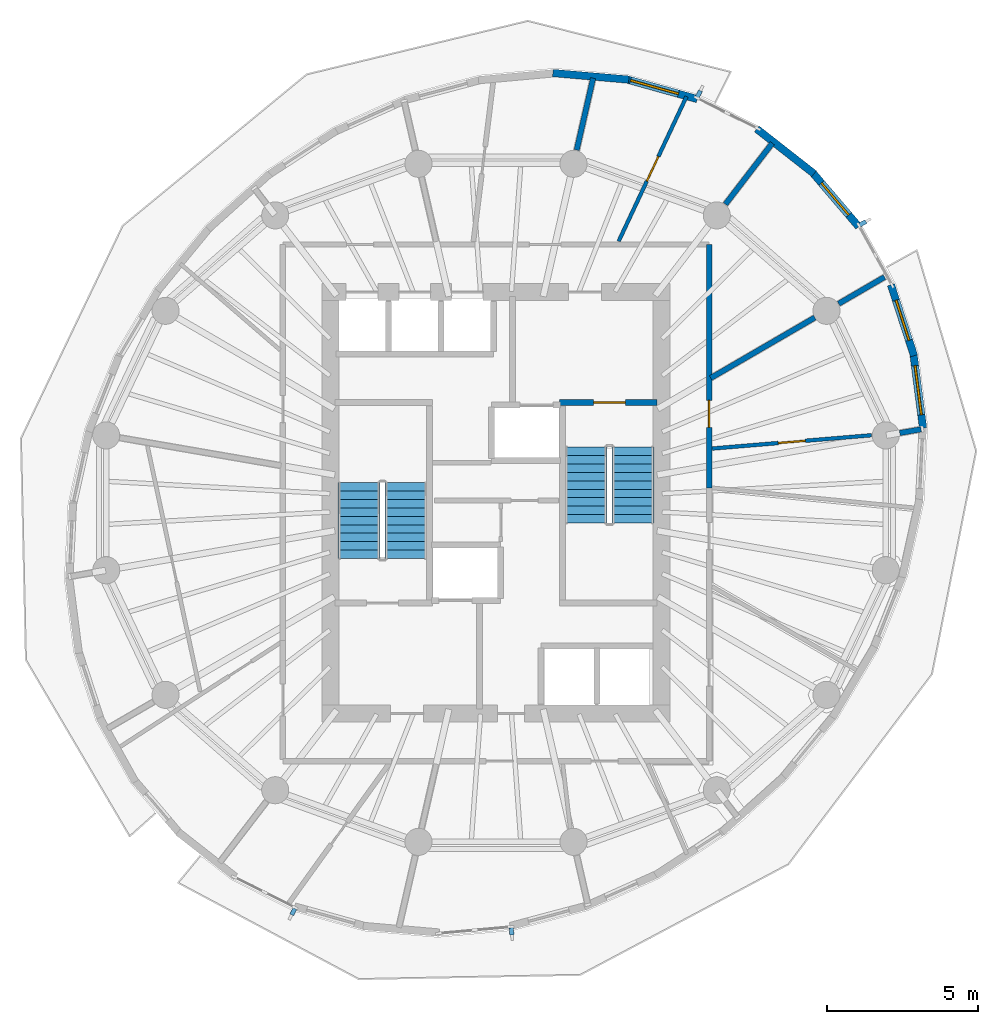
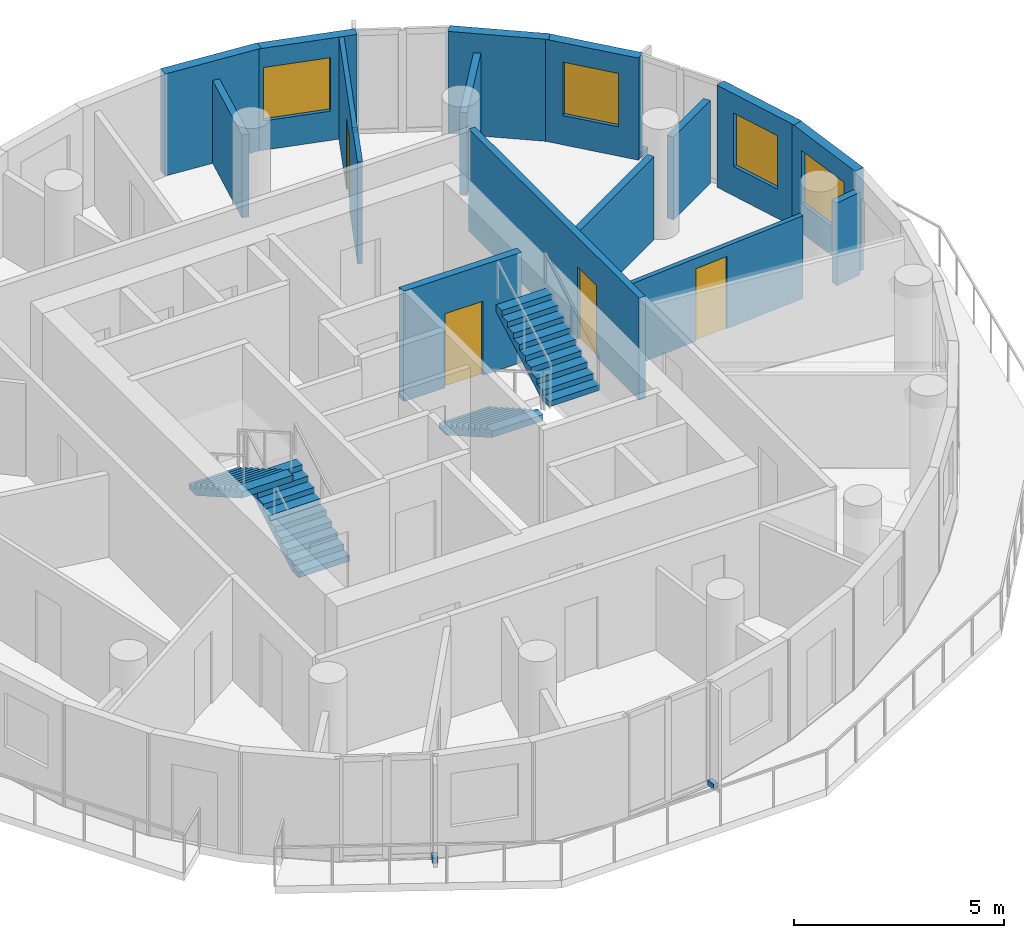
# One storey, part 7 of 10: 15 walls, 4 discrete accessories, 4 doors, 4 stair flights, 4 windows, 8 openings, 2 elements without a shape of their own.
"""IFC4 building model written with IfcOpenShell, lengths in metres."""

from ifc_helpers import new_model, si_unit, direction, frame, frame_2d, origin, origin_2d, place, context, subcontext, project, spatial, polyline, rectangle, outline, extrude, material, layer, layer_set, type_object, element, fill, aggregate, save


model = new_model("IFC4")

# Units and contexts
model_context = context("Model", 3, precision=1e-05, world=origin(), true_north=direction((0.0, 1.0)))
body_context = subcontext(model_context, "Body", "Model", "MODEL_VIEW")
ifc_project = project(units=[si_unit("LENGTHUNIT", "METRE"), si_unit("AREAUNIT", "SQUARE_METRE"), si_unit("VOLUMEUNIT", "CUBIC_METRE"), si_unit("PLANEANGLEUNIT", "RADIAN"), si_unit("MASSUNIT", "GRAM", prefix="KILO")], contexts=[model_context])

# Site, building, storey
site_placement = place(None, origin())
site = spatial("IfcSite", under=ifc_project, at=site_placement, CompositionType="ELEMENT")
building_placement = place(site_placement, origin())
building = spatial("IfcBuilding", under=site, at=building_placement, Name="Veldorim Arch Residences", CompositionType="ELEMENT")
storey_placement = place(building_placement, frame((0.0, 0.0, 188.639892578125)))
storey = spatial("IfcBuildingStorey", under=building, at=storey_placement, Name="L56", CompositionType="ELEMENT", Elevation=188.639892578125)

# Wall, opening, door
ifc_material_1 = material(Name="Acoustic Gypsum Board", Category="gypsum")
ifc_layer_1 = layer(ifc_material_1, 0.125, Name="Acoustic Stud Room Partition Wall 125")
ifc_layer_set_1 = layer_set([ifc_layer_1], Name="Acoustic Gypsum Board")
wall_type_1 = type_object("IfcWallType", Name="Acoustic Stud Room Partition Wall 125", PredefinedType="PARTITIONING", material=ifc_layer_set_1)
wall_1_placement = place(storey_placement, frame((44.46826171875, 26.244140625, 0.0), z_axis=(0.0, 0.0, 1.0), x_axis=(-0.996538774807, -0.083129238578, 0.0)))
wall_1 = element("IfcWall", 1, at=wall_1_placement, inside=storey, type_object=wall_type_1, Name="L56 interior wall WL-RES-L56-008", PredefinedType="PARTITIONING", context=body_context, shape_type="SweptSolid", body=[
    extrude(rectangle(XDim=5.306884765625, YDim=0.125, at=frame_2d((2.6533203125, 0.0))), origin(), (0.0, 0.0, 1.0), 2.403564453125),
])
opening_1_placement = place(wall_1_placement, frame((2.20361328125, 0.0, 0.0)))
opening_1 = element("IfcOpeningElement", 2, at=opening_1_placement, cuts=wall_1, Name="Opening DR-SVC", PredefinedType="OPENING", context=body_context, shape_type="SweptSolid", body=[
    extrude(rectangle(XDim=0.89990234375, YDim=2.10009765625, at=frame_2d((0.449951171875, 1.050048828125))), frame((0.0, 0.072509765625, 0.0), z_axis=(0.0, -1.0, 0.0), x_axis=(1.0, 0.0, 0.0)), (0.0, 0.0, 1.0), 0.14501953125),
])
ifc_material_2 = material(Name="Fire-Rated Steel", Category="steel")
door_type_1 = type_object("IfcDoorType", Name="Riser, Shelter & Plant Room Rated Steel Door 900x2100", OperationType="SINGLE_SWING_LEFT", PredefinedType="DOOR", material=ifc_material_2)
door_1_placement = place(opening_1_placement, origin())
door_1 = element("IfcDoor", 3, at=door_1_placement, inside=storey, type_object=door_type_1, Name="L56 interior door DR-RES-L56-006", OperationType="SINGLE_SWING_RIGHT", OverallHeight=2.10009765625, OverallWidth=0.89990234375, PredefinedType="DOOR", context=body_context, shape_type="SweptSolid", body=[
    extrude(rectangle(XDim=0.89990234375, YDim=2.10009765625, at=frame_2d((0.449951171875, 1.050048828125))), frame((0.0, 0.02490234375, 0.0), z_axis=(0.0, -1.0, 0.0), x_axis=(1.0, 0.0, 0.0)), (0.0, 0.0, 1.0), 0.050048828125),
])
fill(opening_1, door_1)

wall_2_placement = place(storey_placement, frame((38.327880859375, 37.49560546875, 0.0), z_axis=(0.0, 0.0, 1.0), x_axis=(-0.424538730781, -0.905409777983, 0.0)))
wall_2 = element("IfcWall", 4, at=wall_2_placement, inside=storey, type_object=wall_type_1, Name="L56 interior wall WL-RES-L56-016", PredefinedType="PARTITIONING", context=body_context, shape_type="SweptSolid", body=[
    extrude(rectangle(XDim=5.30908203125, YDim=0.125, at=frame_2d((2.654541015625, 0.0))), origin(), (0.0, 0.0, 1.0), 2.955078125),
])
opening_2_placement = place(wall_2_placement, frame((2.20458984375, 0.0, 0.0)))
opening_2 = element("IfcOpeningElement", 5, at=opening_2_placement, cuts=wall_2, Name="Opening DR-INT", PredefinedType="OPENING", context=body_context, shape_type="SweptSolid", body=[
    extrude(rectangle(XDim=0.89990234375, YDim=2.10009765625, at=frame_2d((0.449951171875, 1.050048828125))), frame((0.0, 0.072509765625, 0.0), z_axis=(0.0, -1.0, 0.0), x_axis=(1.0, 0.0, 0.0)), (0.0, 0.0, 1.0), 0.14501953125),
])
ifc_material_3 = material(Name="Engineered Timber", Category="wood")
door_type_2 = type_object("IfcDoorType", Name="Apartment Internal Room Timber Door 900x2100", OperationType="SINGLE_SWING_LEFT", PredefinedType="DOOR", material=ifc_material_3)
door_2_placement = place(opening_2_placement, origin())
door_2 = element("IfcDoor", 6, at=door_2_placement, inside=storey, type_object=door_type_2, Name="L56 interior door DR-RES-L56-009", OperationType="SINGLE_SWING_LEFT", OverallHeight=2.10009765625, OverallWidth=0.89990234375, PredefinedType="DOOR", context=body_context, shape_type="SweptSolid", body=[
    extrude(rectangle(XDim=0.89990234375, YDim=2.10009765625, at=frame_2d((0.449951171875, 1.050048828125))), frame((0.0, 0.02490234375, 0.0), z_axis=(0.0, -1.0, 0.0), x_axis=(1.0, 0.0, 0.0)), (0.0, 0.0, 1.0), 0.050048828125),
])
fill(opening_2, door_2)

# Walls
ifc_material_4 = material(Name="Lightweight Masonry Block & Gypsum", Category="masonry")
ifc_layer_2 = layer(ifc_material_4, 0.179931640625, Name="Compartment & Corridor Fire-Rated Party Wall 180")
ifc_layer_set_2 = layer_set([ifc_layer_2], Name="Lightweight Masonry Block & Gypsum")
wall_type_2 = type_object("IfcWallType", Name="Compartment & Corridor Fire-Rated Party Wall 180", PredefinedType="PARTITIONING", material=ifc_layer_set_2)
wall_3_placement = place(storey_placement, frame((45.409423828125, 26.319580078125, 0.0), z_axis=(0.0, 0.0, 1.0), x_axis=(0.985336223431, 0.170623933826, 0.0)))
element("IfcWall", 7, at=wall_3_placement, inside=storey, type_object=wall_type_2, Name="L56 interior wall WL-PIER-L56-01", PredefinedType="PARTITIONING", context=body_context, shape_type="SweptSolid", body=[
    extrude(rectangle(XDim=0.71826171875, YDim=0.179931640625, at=frame_2d((0.359130859375, 0.0))), origin(), (0.0, 0.0, 1.0), 2.403564453125),
])
wall_4_placement = place(storey_placement, frame((43.3818359375, 30.614013671875, 0.0), z_axis=(0.0, 0.0, 1.0), x_axis=(0.86461381872, 0.502437005482, 0.0)))
element("IfcWall", 8, at=wall_4_placement, inside=storey, type_object=wall_type_2, Name="L56 interior wall WL-PIER-L56-02", PredefinedType="PARTITIONING", context=body_context, shape_type="SweptSolid", body=[
    extrude(rectangle(XDim=1.758056640625, YDim=0.179931640625, at=frame_2d((0.87890625, 0.0))), origin(), (0.0, 0.0, 1.0), 2.403564453125),
])
wall_5_placement = place(storey_placement, frame((39.619873046875, 33.91796875, 0.0), z_axis=(0.0, 0.0, 1.0), x_axis=(0.609249164273, 0.792978849549, 0.0)))
element("IfcWall", 9, at=wall_5_placement, inside=storey, type_object=wall_type_2, Name="L56 interior wall WL-PIER-L56-03", PredefinedType="PARTITIONING", context=body_context, shape_type="SweptSolid", body=[
    extrude(rectangle(XDim=2.556640625, YDim=0.179931640625, at=frame_2d((1.2783203125, 0.0))), origin(), (0.0, 0.0, 1.0), 2.403564453125),
])
wall_6_placement = place(storey_placement, frame((34.679931640625, 35.717529296875, 0.0), z_axis=(0.0, 0.0, 1.0), x_axis=(0.222943921747, 0.974831271429, 0.0)))
element("IfcWall", 10, at=wall_6_placement, inside=storey, type_object=wall_type_2, Name="L56 interior wall WL-PIER-L56-04", PredefinedType="PARTITIONING", context=body_context, shape_type="SweptSolid", body=[
    extrude(rectangle(XDim=2.448486328125, YDim=0.179931640625, at=frame_2d((1.22412109375, 0.0))), origin(), (0.0, 0.0, 1.0), 2.403564453125),
])

# Wall, opening, door
wall_7_placement = place(storey_placement, frame((39.080078125, 32.580078125, 0.0), z_axis=(0.0, 0.0, 1.0), x_axis=(0.0, -1.0, 0.0)))
wall_7 = element("IfcWall", 11, at=wall_7_placement, inside=storey, type_object=wall_type_2, Name="L56 interior wall WL-RES-L56-001", PredefinedType="PARTITIONING", context=body_context, shape_type="SweptSolid", body=[
    extrude(rectangle(XDim=8.093994140625, YDim=0.179931640625, at=frame_2d((4.046875, 0.0))), origin(), (0.0, 0.0, 1.0), 2.955078125),
])
opening_3_placement = place(wall_7_placement, frame((5.174072265625, 0.0, 0.0)))
opening_3 = element("IfcOpeningElement", 12, at=opening_3_placement, cuts=wall_7, Name="Opening DR-SVC", PredefinedType="OPENING", context=body_context, shape_type="SweptSolid", body=[
    extrude(rectangle(XDim=0.89990234375, YDim=2.10009765625, at=frame_2d((0.449951171875, 1.050048828125))), frame((0.0, 0.099853515625, 0.0), z_axis=(0.0, -1.0, 0.0), x_axis=(1.0, 0.0, 0.0)), (0.0, 0.0, 1.0), 0.199951171875),
])
door_3_placement = place(opening_3_placement, origin())
door_3 = element("IfcDoor", 13, at=door_3_placement, inside=storey, type_object=door_type_1, Name="L56 interior door DR-RES-L56-001", OperationType="SINGLE_SWING_LEFT", OverallHeight=2.10009765625, OverallWidth=0.89990234375, PredefinedType="DOOR", context=body_context, shape_type="SweptSolid", body=[
    extrude(rectangle(XDim=0.89990234375, YDim=2.10009765625, at=frame_2d((0.449951171875, 1.050048828125))), frame((0.0, 0.02490234375, 0.0), z_axis=(0.0, -1.0, 0.0), x_axis=(1.0, 0.0, 0.0)), (0.0, 0.0, 1.0), 0.050048828125),
])
fill(opening_3, door_3)

# Wall
wall_8_placement = place(storey_placement, frame((39.1318359375, 28.144287109375, 0.0), z_axis=(0.0, 0.0, 1.0), x_axis=(0.864597268714, 0.502465484319, 0.0)))
element("IfcWall", 14, at=wall_8_placement, inside=storey, type_object=wall_type_2, Name="L56 interior wall WL-RES-L56-009", PredefinedType="PARTITIONING", context=body_context, shape_type="SweptSolid", body=[
    extrude(rectangle(XDim=3.997802734375, YDim=0.179931640625, at=frame_2d((1.9990234375, 0.0))), origin(), (0.0, 0.0, 1.0), 2.403564453125),
])

# Wall, opening, door
ifc_material_5 = material(Name="Concrete C50/60", Category="concrete")
ifc_layer_3 = layer(ifc_material_5, 0.199951171875, Name="Core Stair & Lift Shaft Enclosure Wall 200")
ifc_layer_set_3 = layer_set([ifc_layer_3], Name="Concrete C50/60")
wall_type_3 = type_object("IfcWallType", Name="Core Stair & Lift Shaft Enclosure Wall 200", PredefinedType="SHEAR", material=ifc_layer_set_3)
wall_9_placement = place(storey_placement, frame((34.110107421875, 27.330078125, 0.0), z_axis=(0.0, 0.0, 1.0), x_axis=(1.0, 0.0, 0.0)))
wall_9 = element("IfcWall", 15, at=wall_9_placement, inside=storey, type_object=wall_type_3, Name="L56 shaft wall WL-SHF-L56-ST2-N", PredefinedType="SHEAR", context=body_context, shape_type="SweptSolid", body=[
    extrude(rectangle(XDim=3.239990234375, YDim=0.199951171875, at=frame_2d((1.6201171875, 0.0))), origin(), (0.0, 0.0, 1.0), 3.2001953125),
])
opening_4_placement = place(wall_9_placement, frame((1.135009765625, 0.0, 0.0)))
opening_4 = element("IfcOpeningElement", 16, at=opening_4_placement, cuts=wall_9, Name="Opening DR-ST", PredefinedType="OPENING", context=body_context, shape_type="SweptSolid", body=[
    extrude(rectangle(XDim=1.050048828125, YDim=2.14990234375, at=frame_2d((0.52490234375, 1.074951171875))), frame((0.0, 0.10986328125, 0.0), z_axis=(0.0, -1.0, 0.0), x_axis=(1.0, 0.0, 0.0)), (0.0, 0.0, 1.0), 0.219970703125),
])
ifc_material_6 = material(Name="Fire-Rated Steel", Category="steel")
door_type_3 = type_object("IfcDoorType", Name="Exit Staircase Self-Closing Fire Door 1050x2150", OperationType="SINGLE_SWING_LEFT", PredefinedType="DOOR", material=ifc_material_6)
door_4_placement = place(opening_4_placement, origin())
door_4 = element("IfcDoor", 17, at=door_4_placement, inside=storey, type_object=door_type_3, Name="L56 interior door DR-L56-ST2", OperationType="SINGLE_SWING_RIGHT", OverallHeight=2.14990234375, OverallWidth=1.050048828125, PredefinedType="DOOR", context=body_context, shape_type="SweptSolid", body=[
    extrude(rectangle(XDim=1.050048828125, YDim=2.14990234375, at=frame_2d((0.52490234375, 1.074951171875))), frame((0.0, 0.02490234375, 0.0), z_axis=(0.0, -1.0, 0.0), x_axis=(1.0, 0.0, 0.0)), (0.0, 0.0, 1.0), 0.050048828125),
])
fill(opening_4, door_4)

# Wall
ifc_material_7 = material(Name="Precast concrete C40/50", Category="concrete")
ifc_layer_4 = layer(ifc_material_7, 0.25, Name="Tower Terracotta Spandrel & Pier Wall 250")
ifc_layer_set_4 = layer_set([ifc_layer_4], Name="Precast concrete C40/50")
wall_type_4 = type_object("IfcWallType", Name="Tower Terracotta Spandrel & Pier Wall 250", PredefinedType="SOLIDWALL", material=ifc_layer_set_4)
wall_10_placement = place(storey_placement, frame((40.66064453125, 36.419677734375, 0.0), z_axis=(0.0, 0.0, 1.0), x_axis=(0.787404715416, -0.616436382883, 0.0)))
element("IfcWall", 18, at=wall_10_placement, inside=storey, type_object=wall_type_4, Name="L56 terracotta facade wall 01", PredefinedType="SOLIDWALL", context=body_context, shape_type="SweptSolid", body=[
    extrude(rectangle(XDim=2.414794921875, YDim=0.25, at=frame_2d((1.20751953125, 0.0))), origin(), (0.0, 0.0, 1.0), 2.960205078125),
])

# Wall, opening, window
wall_11_placement = place(storey_placement, frame((36.29931640625, 38.077392578125, 0.0), z_axis=(0.0, 0.0, 1.0), x_axis=(0.96316841201, -0.26889888454, 0.0)))
wall_11 = element("IfcWall", 19, at=wall_11_placement, inside=storey, type_object=wall_type_4, Name="L56 terracotta facade wall 03", PredefinedType="SOLIDWALL", context=body_context, shape_type="SweptSolid", body=[
    extrude(rectangle(XDim=2.477783203125, YDim=0.25, at=frame_2d((1.23876953125, 0.0))), origin(), (0.0, 0.0, 1.0), 2.960205078125),
])
opening_5_placement = place(wall_11_placement, frame((0.175048828125, 0.0, 0.85009765625)))
opening_5 = element("IfcOpeningElement", 20, at=opening_5_placement, cuts=wall_11, Name="Opening WN-03", PredefinedType="OPENING", context=body_context, shape_type="SweptSolid", body=[
    extrude(rectangle(XDim=1.64990234375, YDim=1.550048828125, at=frame_2d((0.824951171875, 0.77490234375))), frame((0.0, 0.135009765625, 0.0), z_axis=(0.0, -1.0, 0.0), x_axis=(1.0, 0.0, 0.0)), (0.0, 0.0, 1.0), 0.27001953125),
])
ifc_material_8 = material(Name="Laminated Low-E Glass", Category="glass")
window_type_1 = type_object("IfcWindowType", Name="Residential Wide Window 1650x1550", PartitioningType="SINGLE_PANEL", PredefinedType="WINDOW", material=ifc_material_8)
window_1_placement = place(opening_5_placement, origin())
window_1 = element("IfcWindow", 21, at=window_1_placement, inside=storey, type_object=window_type_1, Name="L56 solar-control facade window 03", OverallHeight=1.550048828125, OverallWidth=1.64990234375, PartitioningType="SINGLE_PANEL", PredefinedType="WINDOW", context=body_context, shape_type="SweptSolid", body=[
    extrude(rectangle(XDim=1.64990234375, YDim=1.550048828125, at=frame_2d((0.824951171875, 0.77490234375))), frame((0.0, 0.030029296875, 0.0), z_axis=(0.0, -1.0, 0.0), x_axis=(1.0, 0.0, 0.0)), (0.0, 0.0, 1.0), 0.06005859375),
])
fill(opening_5, window_1)

# Wall
wall_12_placement = place(storey_placement, frame((33.8876953125, 38.27587890625, 0.0), z_axis=(0.0, 0.0, 1.0), x_axis=(0.996260822813, -0.08639660252, 0.0)))
element("IfcWall", 22, at=wall_12_placement, inside=storey, type_object=wall_type_4, Name="L56 terracotta facade wall 04", PredefinedType="SOLIDWALL", context=body_context, shape_type="SweptSolid", body=[
    extrude(rectangle(XDim=2.531982421875, YDim=0.25, at=frame_2d((1.26611328125, 0.0))), origin(), (0.0, 0.0, 1.0), 2.960205078125),
])

# Wall, opening, window
wall_13_placement = place(storey_placement, frame((45.860107421875, 28.994873046875, 0.0), z_axis=(0.0, 0.0, 1.0), x_axis=(0.128057007482, -0.991766808698, 0.0)))
wall_13 = element("IfcWall", 23, at=wall_13_placement, inside=storey, type_object=wall_type_4, Name="L56 terracotta facade wall 33", PredefinedType="SOLIDWALL", context=body_context, shape_type="SweptSolid", body=[
    extrude(rectangle(XDim=2.53173828125, YDim=0.25, at=frame_2d((1.265869140625, 0.0))), origin(), (0.0, 0.0, 1.0), 2.960205078125),
])
opening_6_placement = place(wall_13_placement, frame((0.44091796875, 0.0, 0.85009765625)))
opening_6 = element("IfcOpeningElement", 24, at=opening_6_placement, cuts=wall_13, Name="Opening WN-03", PredefinedType="OPENING", context=body_context, shape_type="SweptSolid", body=[
    extrude(rectangle(XDim=1.64990234375, YDim=1.550048828125, at=frame_2d((0.824951171875, 0.77490234375))), frame((0.0, 0.135009765625, 0.0), z_axis=(0.0, -1.0, 0.0), x_axis=(1.0, 0.0, 0.0)), (0.0, 0.0, 1.0), 0.27001953125),
])
window_2_placement = place(opening_6_placement, origin())
window_2 = element("IfcWindow", 25, at=window_2_placement, inside=storey, type_object=window_type_1, Name="L56 solar-control facade window 33", OverallHeight=1.550048828125, OverallWidth=1.64990234375, PartitioningType="SINGLE_PANEL", PredefinedType="WINDOW", context=body_context, shape_type="SweptSolid", body=[
    extrude(rectangle(XDim=1.64990234375, YDim=1.550048828125, at=frame_2d((0.824951171875, 0.77490234375))), frame((0.0, 0.030029296875, 0.0), z_axis=(0.0, -1.0, 0.0), x_axis=(1.0, 0.0, 0.0)), (0.0, 0.0, 1.0), 0.06005859375),
])
fill(opening_6, window_2)

wall_14_placement = place(storey_placement, frame((45.119384765625, 31.241455078125, 0.0), z_axis=(0.0, 0.0, 1.0), x_axis=(0.309005861828, -0.951060133407, 0.0)))
wall_14 = element("IfcWall", 26, at=wall_14_placement, inside=storey, type_object=wall_type_4, Name="L56 terracotta facade wall 34", PredefinedType="SOLIDWALL", context=body_context, shape_type="SweptSolid", body=[
    extrude(rectangle(XDim=2.477783203125, YDim=0.25, at=frame_2d((1.23876953125, 0.0))), origin(), (0.0, 0.0, 1.0), 2.960205078125),
])
opening_7_placement = place(wall_14_placement, frame((0.5390625, 0.0, 0.85009765625)))
opening_7 = element("IfcOpeningElement", 27, at=opening_7_placement, cuts=wall_14, Name="Opening WN-02", PredefinedType="OPENING", context=body_context, shape_type="SweptSolid", body=[
    extrude(rectangle(XDim=1.39990234375, YDim=1.550048828125, at=frame_2d((0.699951171875, 0.77490234375))), frame((0.0, 0.135009765625, 0.0), z_axis=(0.0, -1.0, 0.0), x_axis=(1.0, 0.0, 0.0)), (0.0, 0.0, 1.0), 0.27001953125),
])
ifc_material_9 = material(Name="Laminated Low-E Glass", Category="glass")
window_type_2 = type_object("IfcWindowType", Name="Residential Casement Window 1400x1550", PartitioningType="SINGLE_PANEL", PredefinedType="WINDOW", material=ifc_material_9)
window_3_placement = place(opening_7_placement, origin())
window_3 = element("IfcWindow", 28, at=window_3_placement, inside=storey, type_object=window_type_2, Name="L56 solar-control facade window 34", OverallHeight=1.550048828125, OverallWidth=1.39990234375, PartitioningType="SINGLE_PANEL", PredefinedType="WINDOW", context=body_context, shape_type="SweptSolid", body=[
    extrude(rectangle(XDim=1.39990234375, YDim=1.550048828125, at=frame_2d((0.699951171875, 0.77490234375))), frame((0.0, 0.030029296875, 0.0), z_axis=(0.0, -1.0, 0.0), x_axis=(1.0, 0.0, 0.0)), (0.0, 0.0, 1.0), 0.06005859375),
])
fill(opening_7, window_3)

wall_15_placement = place(storey_placement, frame((42.479248046875, 35.010498046875, 0.0), z_axis=(0.0, 0.0, 1.0), x_axis=(0.648874307696, -0.760895612297, 0.0)))
wall_15 = element("IfcWall", 29, at=wall_15_placement, inside=storey, type_object=wall_type_4, Name="L56 terracotta facade wall 36", PredefinedType="SOLIDWALL", context=body_context, shape_type="SweptSolid", body=[
    extrude(rectangle(XDim=2.414794921875, YDim=0.25, at=frame_2d((1.20751953125, 0.0))), origin(), (0.0, 0.0, 1.0), 2.960205078125),
])
opening_8_placement = place(wall_15_placement, frame((0.507080078125, 0.0, 0.85009765625)))
opening_8 = element("IfcOpeningElement", 30, at=opening_8_placement, cuts=wall_15, Name="Opening WN-02", PredefinedType="OPENING", context=body_context, shape_type="SweptSolid", body=[
    extrude(rectangle(XDim=1.39990234375, YDim=1.550048828125, at=frame_2d((0.699951171875, 0.77490234375))), frame((0.0, 0.135009765625, 0.0), z_axis=(0.0, -1.0, 0.0), x_axis=(1.0, 0.0, 0.0)), (0.0, 0.0, 1.0), 0.27001953125),
])
window_4_placement = place(opening_8_placement, origin())
window_4 = element("IfcWindow", 31, at=window_4_placement, inside=storey, type_object=window_type_2, Name="L56 solar-control facade window 36", OverallHeight=1.550048828125, OverallWidth=1.39990234375, PartitioningType="SINGLE_PANEL", PredefinedType="WINDOW", context=body_context, shape_type="SweptSolid", body=[
    extrude(rectangle(XDim=1.39990234375, YDim=1.550048828125, at=frame_2d((0.699951171875, 0.77490234375))), frame((0.0, 0.030029296875, 0.0), z_axis=(0.0, -1.0, 0.0), x_axis=(1.0, 0.0, 0.0)), (0.0, 0.0, 1.0), 0.06005859375),
])
fill(opening_8, window_4)

# Stair, stair flights
ifc_material_10 = material(Name="Concrete C40/50", Category="concrete")
stair_type = type_object("IfcStairType", Name="Reinforced Concrete Dogleg Exit Staircase", PredefinedType="HALF_TURN_STAIR", material=ifc_material_10)
stair_1_placement = place(storey_placement, origin())
stair_1 = element("IfcStair", 32, at=stair_1_placement, inside=storey, type_object=stair_type, Name="L56 Exit Staircase ST-1", PredefinedType="HALF_TURN_STAIR")
ifc_material_11 = material(Name="Concrete C40/50", Category="concrete")
stair_flight_type = type_object("IfcStairFlightType", Name="Reinforced Concrete Stair Flight 1400", PredefinedType="STRAIGHT", material=ifc_material_11)
stair_flight_1_placement = place(storey_placement, frame((29.010009765625, 22.14990234375, 0.0), z_axis=(0.0, 0.0, 1.0), x_axis=(0.0, 1.0, 0.0)))
stair_flight_1 = element("IfcStairFlight", 33, at=stair_flight_1_placement, type_object=stair_flight_type, Name="ST-1 flight 1", NumberOfRisers=10, NumberOfTreads=9, PredefinedType="STRAIGHT", RiserHeight=0.16, TreadLength=0.28, context=body_context, shape_type="SweptSolid", body=[
    extrude(outline(polyline([(0.0, 0.0), (0.0, 0.159912109375), (0.280029296875, 0.159912109375), (0.280029296875, 0.320068359375), (0.56005859375, 0.320068359375), (0.56005859375, 0.47998046875), (0.840087890625, 0.47998046875), (0.840087890625, 0.639892578125), (1.1201171875, 0.639892578125), (1.1201171875, 0.800048828125), (1.39990234375, 0.800048828125), (1.39990234375, 0.9599609375), (1.679931640625, 0.9599609375), (1.679931640625, 1.1201171875), (1.9599609375, 1.1201171875), (1.9599609375, 1.280029296875), (2.239990234375, 1.280029296875), (2.239990234375, 1.43994140625), (2.52001953125, 1.43994140625), (2.52001953125, 1.60009765625), (2.52001953125, 1.255859375), (0.322265625, 0.0), (0.0, 0.0)])), frame((0.0, 0.699951171875, 0.0), z_axis=(0.0, -1.0, 0.0), x_axis=(1.0, 0.0, 0.0)), (0.0, 0.0, 1.0), 1.39990234375),
])
stair_flight_2_placement = place(storey_placement, frame((27.449951171875, 24.669921875, 1.60009765625), z_axis=(0.0, 0.0, 1.0), x_axis=(0.0, -1.0, 0.0)))
stair_flight_2 = element("IfcStairFlight", 34, at=stair_flight_2_placement, type_object=stair_flight_type, Name="ST-1 flight 2", NumberOfRisers=10, NumberOfTreads=9, PredefinedType="STRAIGHT", RiserHeight=0.16, TreadLength=0.28, context=body_context, shape_type="SweptSolid", body=[
    extrude(outline(polyline([(0.0, 0.0), (0.0, 0.159912109375), (0.280029296875, 0.159912109375), (0.280029296875, 0.320068359375), (0.56005859375, 0.320068359375), (0.56005859375, 0.47998046875), (0.840087890625, 0.47998046875), (0.840087890625, 0.639892578125), (1.1201171875, 0.639892578125), (1.1201171875, 0.800048828125), (1.39990234375, 0.800048828125), (1.39990234375, 0.9599609375), (1.679931640625, 0.9599609375), (1.679931640625, 1.1201171875), (1.9599609375, 1.1201171875), (1.9599609375, 1.280029296875), (2.239990234375, 1.280029296875), (2.239990234375, 1.43994140625), (2.52001953125, 1.43994140625), (2.52001953125, 1.60009765625), (2.52001953125, 1.255859375), (0.322265625, 0.0), (0.0, 0.0)])), frame((0.0, 0.699951171875, 0.0), z_axis=(0.0, -1.0, 0.0), x_axis=(1.0, 0.0, 0.0)), (0.0, 0.0, 1.0), 1.39990234375),
])
aggregate(stair_1, [stair_flight_1, stair_flight_2])

stair_2_placement = place(storey_placement, origin())
stair_2 = element("IfcStair", 35, at=stair_2_placement, inside=storey, type_object=stair_type, Name="L56 Exit Staircase ST-2", PredefinedType="HALF_TURN_STAIR")
stair_flight_3_placement = place(storey_placement, frame((34.989990234375, 25.85009765625, 0.0), z_axis=(0.0, 0.0, 1.0), x_axis=(0.0, -1.0, 0.0)))
stair_flight_3 = element("IfcStairFlight", 36, at=stair_flight_3_placement, type_object=stair_flight_type, Name="ST-2 flight 1", NumberOfRisers=10, NumberOfTreads=9, PredefinedType="STRAIGHT", RiserHeight=0.16, TreadLength=0.28, context=body_context, shape_type="SweptSolid", body=[
    extrude(outline(polyline([(0.0, 0.0), (0.0, 0.159912109375), (0.280029296875, 0.159912109375), (0.280029296875, 0.320068359375), (0.56005859375, 0.320068359375), (0.56005859375, 0.47998046875), (0.840087890625, 0.47998046875), (0.840087890625, 0.639892578125), (1.1201171875, 0.639892578125), (1.1201171875, 0.800048828125), (1.39990234375, 0.800048828125), (1.39990234375, 0.9599609375), (1.679931640625, 0.9599609375), (1.679931640625, 1.1201171875), (1.9599609375, 1.1201171875), (1.9599609375, 1.280029296875), (2.239990234375, 1.280029296875), (2.239990234375, 1.43994140625), (2.52001953125, 1.43994140625), (2.52001953125, 1.60009765625), (2.52001953125, 1.255859375), (0.322265625, 0.0), (0.0, 0.0)])), frame((0.0, 0.699951171875, 0.0), z_axis=(0.0, -1.0, 0.0), x_axis=(1.0, 0.0, 0.0)), (0.0, 0.0, 1.0), 1.39990234375),
])
stair_flight_4_placement = place(storey_placement, frame((36.550048828125, 23.330078125, 1.60009765625), z_axis=(0.0, 0.0, 1.0), x_axis=(0.0, 1.0, 0.0)))
stair_flight_4 = element("IfcStairFlight", 37, at=stair_flight_4_placement, type_object=stair_flight_type, Name="ST-2 flight 2", NumberOfRisers=10, NumberOfTreads=9, PredefinedType="STRAIGHT", RiserHeight=0.16, TreadLength=0.28, context=body_context, shape_type="SweptSolid", body=[
    extrude(outline(polyline([(0.0, 0.0), (0.0, 0.159912109375), (0.280029296875, 0.159912109375), (0.280029296875, 0.320068359375), (0.56005859375, 0.320068359375), (0.56005859375, 0.47998046875), (0.840087890625, 0.47998046875), (0.840087890625, 0.639892578125), (1.1201171875, 0.639892578125), (1.1201171875, 0.800048828125), (1.39990234375, 0.800048828125), (1.39990234375, 0.9599609375), (1.679931640625, 0.9599609375), (1.679931640625, 1.1201171875), (1.9599609375, 1.1201171875), (1.9599609375, 1.280029296875), (2.239990234375, 1.280029296875), (2.239990234375, 1.43994140625), (2.52001953125, 1.43994140625), (2.52001953125, 1.60009765625), (2.52001953125, 1.255859375), (0.322265625, 0.0), (0.0, 0.0)])), frame((0.0, 0.699951171875, 0.0), z_axis=(0.0, -1.0, 0.0), x_axis=(1.0, 0.0, 0.0)), (0.0, 0.0, 1.0), 1.39990234375),
])
aggregate(stair_2, [stair_flight_3, stair_flight_4])

# Discrete accessories
ifc_material_12 = material(Name="Stainless Steel", Category="steel")
discrete_accessory_type = type_object("IfcDiscreteAccessoryType", Name="Stainless Steel Facade Fin Anchor Bracket", PredefinedType="BRACKET", material=ifc_material_12)
for number, where, z_axis, x_axis, name in (
    (38, (38.7353515625, 37.578369140625, -0.02001953125), (0.0, 0.0, 1.0), (0.893606528733, -0.448851168881, 0.0), "L56 stainless fin anchor bracket 02"),
    (39, (25.2646484375, 10.421630859375, -0.02001953125), (0.0, 0.0, 1.0), (-0.893606528733, 0.448851168881, 0.0), "L56 stainless fin anchor bracket 20"),
    (40, (32.5166015625, 9.769287109375, -0.02001953125), (0.0, 0.0, 1.0), (-0.995900201817, -0.090458764201, 0.0), "L56 stainless fin anchor bracket 23"),
    (41, (44.180419921875, 33.28369140625, -0.02001953125), (0.0, 0.0, 1.0), (0.485877807712, -0.874026747859, 0.0), "L56 stainless fin anchor bracket 35"),
):
    element("IfcDiscreteAccessory", number, at=place(storey_placement, frame(where, z_axis=z_axis, x_axis=x_axis)), inside=storey, type_object=discrete_accessory_type, Name=name, PredefinedType="BRACKET", context=body_context, shape_type="SweptSolid", body=[
        extrude(rectangle(XDim=0.139892578125, YDim=0.239990234375, at=origin_2d()), origin(), (0.0, 0.0, 1.0), 0.159912109375),
    ])

save(model, "model.ifc")
